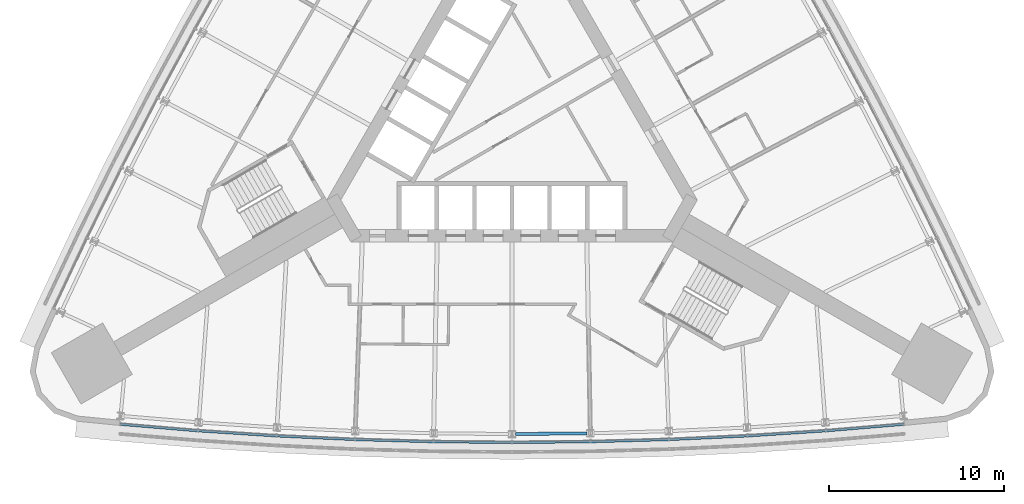
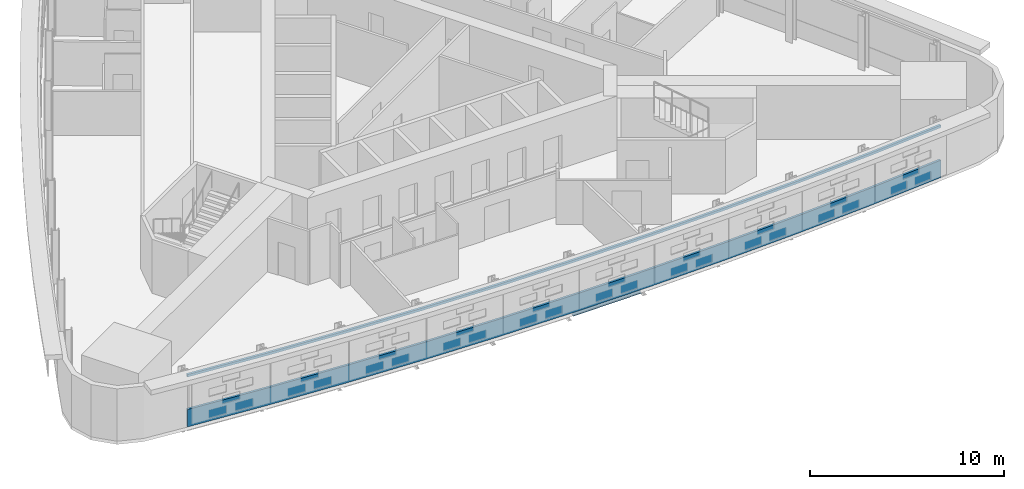
# One storey, part 3 of 15: 2 members, 1 beam, 1 element without a shape of its own.
"""IFC4 building model written with IfcOpenShell, lengths in metres."""

from ifc_helpers import new_model, si_unit, direction, frame, origin, origin_2d, place, context, subcontext, project, spatial, polyline, i_section, outline, extrude, material, material_profile, profile_set, type_object, element, aggregate, save


model = new_model("IFC4")

# Units and contexts
model_context = context("Model", 3, precision=1e-05, world=origin(), true_north=direction((0.0, 1.0)))
body_context = subcontext(model_context, "Body", "Model", "MODEL_VIEW")
ifc_project = project(units=[si_unit("LENGTHUNIT", "METRE"), si_unit("AREAUNIT", "SQUARE_METRE"), si_unit("VOLUMEUNIT", "CUBIC_METRE"), si_unit("PLANEANGLEUNIT", "RADIAN"), si_unit("MASSUNIT", "GRAM", prefix="KILO")], contexts=[model_context])

# Site, building, storey
site_placement = place(None, origin())
site = spatial("IfcSite", under=ifc_project, at=site_placement, CompositionType="ELEMENT")
building_placement = place(site_placement, origin())
building = spatial("IfcBuilding", under=site, at=building_placement, Name="Noor Cloister Tower", CompositionType="ELEMENT")
storey_placement = place(building_placement, frame((0.0, 0.0, 31.199951171875)))
storey = spatial("IfcBuildingStorey", under=building, at=storey_placement, Name="L07", CompositionType="ELEMENT", Elevation=31.199951171875)

# Curtain wall, members
ifc_material_1 = material(Name="Aluminium 6063-T6 anodised", Category="aluminium")
curtain_wall_type = type_object("IfcCurtainWallType", Name="Ribbon curtain wall, lower tower CW1", PredefinedType="NOTDEFINED", material=ifc_material_1)
curtain_wall_placement = place(storey_placement, origin())
curtain_wall = element("IfcCurtainWall", 1, at=curtain_wall_placement, inside=storey, type_object=curtain_wall_type, Name="CW1 L07 S run 2", PredefinedType="NOTDEFINED")
ifc_material_2 = material(Name="Aluminium 6063-T6 anodised", Category="aluminium")
member_type_1 = type_object("IfcMemberType", Name="Head transom CW1 150", PredefinedType="USERDEFINED", material=ifc_material_2)
member_1_placement = place(storey_placement, frame((0.0, 0.0, 3.150146484375)))
member_1 = element("IfcMember", 2, at=member_1_placement, type_object=member_type_1, Name="CW1 head transom", ObjectType="TRANSOM", PredefinedType="USERDEFINED", context=body_context, shape_type="SweptSolid", body=[
    extrude(outline(polyline([(-22.4677734375, -17.440185546875), (-17.9833984375, -17.8154296875), (-13.492919921875, -18.107421875), (-8.998046875, -18.316162109375), (-4.499755859375, -18.44140625), (0.0, -18.483154296875), (4.499755859375, -18.44140625), (8.998046875, -18.316162109375), (13.492919921875, -18.107421875), (17.9833984375, -17.8154296875), (22.4677734375, -17.440185546875), (22.4560546875, -17.30078125), (17.97314453125, -17.67578125), (13.4853515625, -17.9677734375), (8.99267578125, -18.17626953125), (4.4970703125, -18.301513671875), (0.0, -18.34326171875), (-4.4970703125, -18.301513671875), (-8.99267578125, -18.17626953125), (-13.4853515625, -17.9677734375), (-17.97314453125, -17.67578125), (-22.4560546875, -17.30078125), (-22.4677734375, -17.440185546875)])), origin(), (0.0, 0.0, 1.0), 0.14990234375),
])
ifc_material_3 = material(Name="Aluminium 6063-T6 anodised", Category="aluminium")
member_type_2 = type_object("IfcMemberType", Name="Sill transom CW1 1100", PredefinedType="USERDEFINED", material=ifc_material_3)
member_2_placement = place(storey_placement, origin())
member_2 = element("IfcMember", 3, at=member_2_placement, type_object=member_type_2, Name="CW1 sill transom", ObjectType="TRANSOM", PredefinedType="USERDEFINED", context=body_context, shape_type="SweptSolid", body=[
    extrude(outline(polyline([(-22.4677734375, -17.440185546875), (-17.9833984375, -17.8154296875), (-13.492919921875, -18.107421875), (-8.998046875, -18.316162109375), (-4.499755859375, -18.44140625), (0.0, -18.483154296875), (4.499755859375, -18.44140625), (8.998046875, -18.316162109375), (13.492919921875, -18.107421875), (17.9833984375, -17.8154296875), (22.4677734375, -17.440185546875), (22.4560546875, -17.30078125), (17.97314453125, -17.67578125), (13.4853515625, -17.9677734375), (8.99267578125, -18.17626953125), (4.4970703125, -18.301513671875), (0.0, -18.34326171875), (-4.4970703125, -18.301513671875), (-8.99267578125, -18.17626953125), (-13.4853515625, -17.9677734375), (-17.97314453125, -17.67578125), (-22.4560546875, -17.30078125), (-22.4677734375, -17.440185546875)])), origin(), (0.0, 0.0, 1.0), 1.10009765625),
])
aggregate(curtain_wall, [member_2, member_1])

# Beam
ifc_material_4 = material(Name="Steel ASTM A992 Gr 50", Category="steel")
ifc_material_profile = material_profile(ifc_material_4, i_section(OverallWidth=0.177978515625, OverallDepth=0.406005859375, WebThickness=0.0078125, FlangeThickness=0.0126953125, FilletRadius=0.01025390625, at=origin_2d()), Name="W410x60")
ifc_profile_set = profile_set([ifc_material_profile], Name="Steel ASTM A992 Gr 50")
beam_type = type_object("IfcBeamType", Name="Spandrel beam W410x60", PredefinedType="SPANDREL", material=ifc_profile_set)
beam_placement = place(storey_placement, frame((0.201904296875, -17.931396484375, -0.40283203125), z_axis=(0.999956555034, 0.009321375715, 0.0), x_axis=(-0.009321375715, 0.999956555034, 0.0)))
element("IfcBeam", 4, at=beam_placement, inside=storey, type_object=beam_type, Name="Spandrel beam S 06 L07", PredefinedType="SPANDREL", context=body_context, shape_type="SweptSolid", body=[
    extrude(i_section(OverallWidth=0.177978515625, OverallDepth=0.406005859375, WebThickness=0.0078125, FlangeThickness=0.0126953125, FilletRadius=0.01025390625, at=origin_2d()), origin(), (0.0, 0.0, 1.0), 4.0859375),
])

save(model, "model.ifc")
